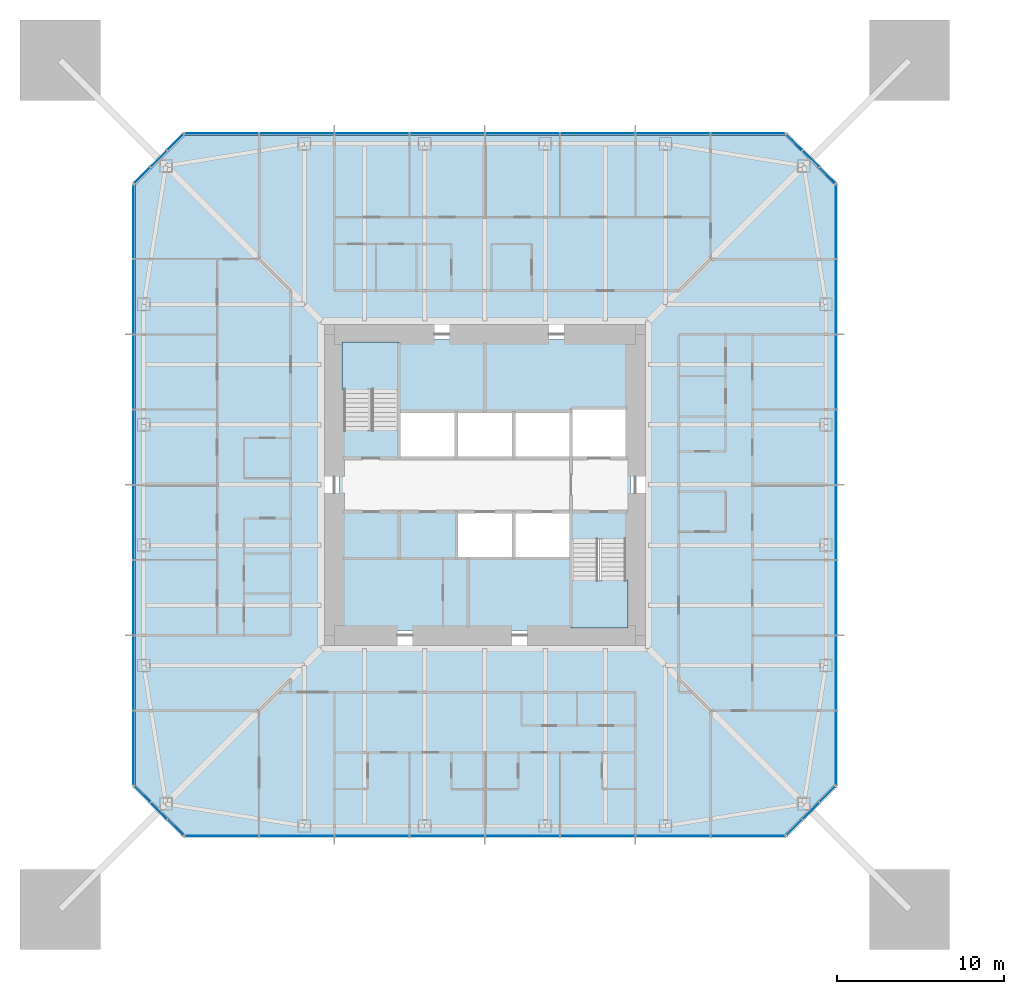
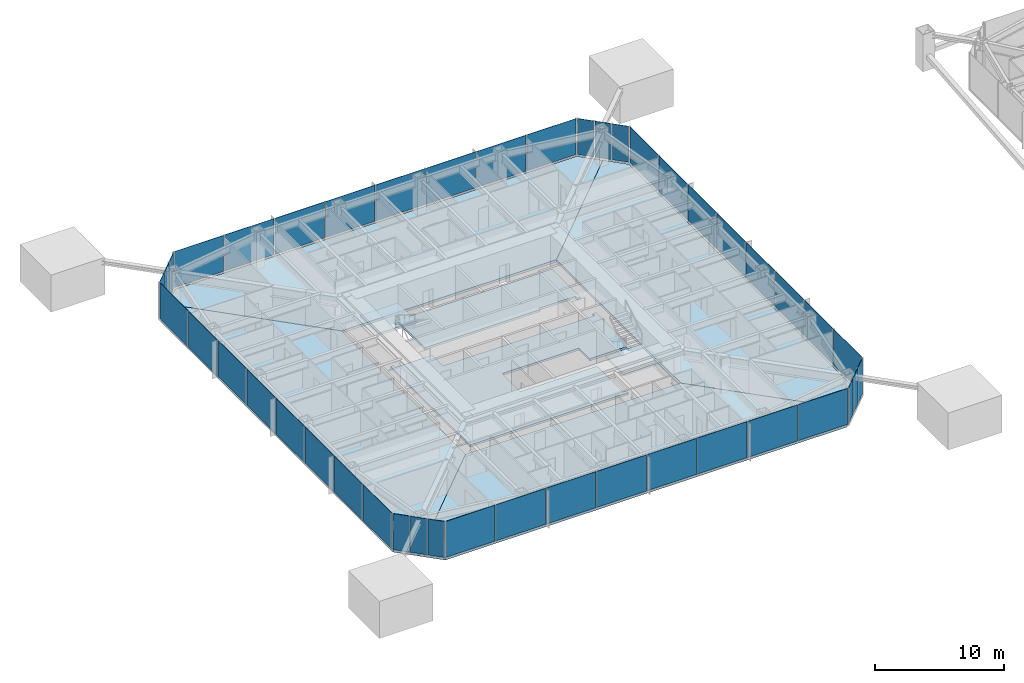
# One storey, part 11 of 25: 44 plates, 8 slabs, 10 elements without a shape of their own.
"""IFC4 building model written with IfcOpenShell, lengths in metres."""

import ifcopenshell
import ifcopenshell.guid

model = None  # the IFC model being written
_history = None  # IfcOwnerHistory: only IFC2X3 demands one
_inside = {}  # id of a spatial element -> (the spatial element, [elements in it])
_under = {}  # id of a project, library or spatial element -> (it, [spatial elements below it])
_declared = {}  # id of a project -> (the project, [libraries it declares])
_typed = {}  # id of a type object -> (the type object, [elements of that type])
_made_of = {}  # id of a material, layer set ... -> (it, [elements and type objects made of it])


def new_model(schema):
    """Start an empty IFC model of exactly this schema.

    Asked for "IFC4X3", IfcOpenShell would pick the latest addendum, in which some entities
    have other attributes; the version numbers below select the first issue.
    IFC2X3 requires an IfcOwnerHistory on every rooted entity: one is made here for all.
    """
    global model, _history
    if schema == "IFC4X3":
        model = ifcopenshell.file(schema_version=(4, 3, 0, 0))
    else:
        model = ifcopenshell.file(schema=schema)
    _inside.clear()
    _under.clear()
    _declared.clear()
    _typed.clear()
    _made_of.clear()
    _history = None
    if model.schema == "IFC2X3":
        org = make("IfcOrganization", Name="unknown")
        user = make(
            "IfcPersonAndOrganization",
            ThePerson=make("IfcPerson", FamilyName="unknown"),
            TheOrganization=org,
        )
        app = make(
            "IfcApplication",
            ApplicationDeveloper=org,
            Version="unknown",
            ApplicationFullName="unknown",
            ApplicationIdentifier="unknown",
        )
        _history = make(
            "IfcOwnerHistory",
            OwningUser=user,
            OwningApplication=app,
            ChangeAction="ADDED",
            CreationDate=0,
        )
    return model


def make(cls, **values):
    """One entity of the class cls with the attributes given. An attribute that is None is left unset."""
    return model.create_entity(
        cls, **{name: value for name, value in values.items() if value is not None}
    )


def rooted(cls, **values):
    """An entity with a GlobalId (a new one), such as an element, a storey or a relation."""
    return make(cls, GlobalId=ifcopenshell.guid.new(), OwnerHistory=_history, **values)


def si_unit(unit_type, name, prefix=None):
    """IfcSIUnit, for example si_unit("LENGTHUNIT", "METRE", prefix="MILLI")."""
    return make("IfcSIUnit", UnitType=unit_type, Prefix=prefix, Name=name)


def assignment(units):
    """IfcUnitAssignment: the units of a project."""
    return None if units is None else make("IfcUnitAssignment", Units=units)


def point(xyz):
    """IfcCartesianPoint."""
    return None if xyz is None else make("IfcCartesianPoint", Coordinates=xyz)


def direction(xyz):
    """IfcDirection."""
    return None if xyz is None else make("IfcDirection", DirectionRatios=xyz)


def frame(location, z_axis=None, x_axis=None):
    """IfcAxis2Placement3D, a coordinate frame: its origin and axes. An axis left out is left unset."""
    return make(
        "IfcAxis2Placement3D",
        Location=point(location),
        Axis=direction(z_axis),
        RefDirection=direction(x_axis),
    )


def frame_2d(location, x_axis=None):
    """IfcAxis2Placement2D, a coordinate frame in the plane: its origin and x axis."""
    return make(
        "IfcAxis2Placement2D", Location=point(location), RefDirection=direction(x_axis)
    )


def origin():
    """The frame at (0, 0, 0) with its axes left unset."""
    return frame((0.0, 0.0, 0.0))


def origin_2d():
    """The frame at (0, 0) in the plane with its x axis left unset."""
    return frame_2d((0.0, 0.0))


def place(relative_to, where):
    """IfcLocalPlacement: puts the frame where relative to a parent placement (None: the world)."""
    return make(
        "IfcLocalPlacement", PlacementRelTo=relative_to, RelativePlacement=where
    )


def context(
    kind, dimensions, precision=None, world=None, true_north=None, identifier=None
):
    """IfcGeometricRepresentationContext, for example the 3D "Model" context."""
    return make(
        "IfcGeometricRepresentationContext",
        ContextIdentifier=identifier,
        ContextType=kind,
        CoordinateSpaceDimension=dimensions,
        Precision=precision,
        WorldCoordinateSystem=world,
        TrueNorth=true_north,
    )


def subcontext(parent, identifier, kind, view, scale=None):
    """IfcGeometricRepresentationSubContext, for example "Body" below "Model"."""
    return make(
        "IfcGeometricRepresentationSubContext",
        ContextIdentifier=identifier,
        ContextType=kind,
        ParentContext=parent,
        TargetScale=scale,
        TargetView=view,
    )


def project(units=None, contexts=None):
    """IfcProject with its units and contexts."""
    return rooted(
        "IfcProject",
        Name="project",
        RepresentationContexts=contexts,
        UnitsInContext=assignment(units),
    )


def spatial(cls, under=None, at=None, **own):
    """A site, building, storey or space (cls), placed at a placement, below another one or the project."""
    s = rooted(cls, ObjectPlacement=at, **own)
    if under is not None:
        _under.setdefault(under.id(), (under, []))[1].append(s)
    return s


def polyline(points):
    """IfcPolyline through the points."""
    return make("IfcPolyline", Points=[point(p) for p in points])


def profile(cls, at=None, kind="AREA", **sizes):
    """A parametric profile (cls). Its sizes go by their IFC names, for example OverallWidth=200.0."""
    return make(cls, ProfileType=kind, Position=at, **sizes)


def rectangle(**sizes):
    """IfcRectangleProfileDef."""
    return profile("IfcRectangleProfileDef", **sizes)


def outline(outer, holes=None, kind="AREA"):
    """IfcArbitraryClosedProfileDef: a profile drawn as a closed curve; with holes, ...WithVoids."""
    if holes is None:
        return make("IfcArbitraryClosedProfileDef", ProfileType=kind, OuterCurve=outer)
    return make(
        "IfcArbitraryProfileDefWithVoids",
        ProfileType=kind,
        OuterCurve=outer,
        InnerCurves=holes,
    )


def extrude(swept, where, along, depth):
    """IfcExtrudedAreaSolid: the profile swept, set in the frame where, extruded along a direction by depth."""
    return make(
        "IfcExtrudedAreaSolid",
        SweptArea=swept,
        Position=where,
        ExtrudedDirection=direction(along),
        Depth=depth,
    )


def shape(context_of_items, identifier, shape_type, items):
    """IfcShapeRepresentation: the items that make up one representation, for example the "Body"."""
    return make(
        "IfcShapeRepresentation",
        ContextOfItems=context_of_items,
        RepresentationIdentifier=identifier,
        RepresentationType=shape_type,
        Items=items,
    )


def material(Name=None, Category=None):
    """IfcMaterial."""
    return make("IfcMaterial", Name=Name, Category=Category)


def layer(
    of_material, thickness, ventilated=None, Name=None, Category=None, Priority=None
):
    """IfcMaterialLayer: one layer of a wall or slab, of a material (None: an air gap)."""
    return make(
        "IfcMaterialLayer",
        Material=of_material,
        LayerThickness=thickness,
        IsVentilated=ventilated,
        Name=Name,
        Category=Category,
        Priority=Priority,
    )


def layer_set(layers, Name=None):
    """IfcMaterialLayerSet."""
    return make("IfcMaterialLayerSet", MaterialLayers=layers, LayerSetName=Name)


def constituent(of_material, Name=None, Category=None, fraction=None):
    """IfcMaterialConstituent: one of the materials an element consists of."""
    return make(
        "IfcMaterialConstituent",
        Name=Name,
        Material=of_material,
        Fraction=fraction,
        Category=Category,
    )


def constituent_set(constituents=None, Name=None):
    """IfcMaterialConstituentSet."""
    return make(
        "IfcMaterialConstituentSet", Name=Name, MaterialConstituents=constituents
    )


def made_of(thing, what):
    """Note that an element or type object is made of a material, layer set ...; save() writes the relation."""
    if what is not None:
        _made_of.setdefault(what.id(), (what, []))[1].append(thing)
    return thing


def type_object(cls, material=None, **own):
    """A type object (cls), such as IfcWallType, which elements share."""
    return made_of(rooted(cls, **own), material)


def element(
    cls,
    number,
    at=None,
    inside=None,
    cuts=None,
    type_object=None,
    material=None,
    context=None,
    identifier="Body",
    shape_type=None,
    held_by="IfcProductDefinitionShape",
    body=None,
    shapes=None,
    **own,
):
    """One element of the class cls, such as IfcWall. Its Tag is "e" and its number.

    at: its placement. inside: the storey or other place that contains it. cuts: it is an
    opening in that element (IfcRelVoidsElement). A single representation is given by context,
    identifier, shape_type and body (its items); several are given by shapes. held_by: the class
    of the entity that holds the representations. save() writes the other relations.
    """
    e = rooted(cls, Tag="e%d" % number, ObjectPlacement=at, **own)
    if body is not None:
        shapes = [shape(context, identifier, shape_type, body)]
    if shapes is not None:
        e.Representation = make(held_by, Representations=shapes)
    if inside is not None:
        _inside.setdefault(inside.id(), (inside, []))[1].append(e)
    if cuts is not None:
        rooted(
            "IfcRelVoidsElement", RelatingBuildingElement=cuts, RelatedOpeningElement=e
        )
    if type_object is not None:
        _typed.setdefault(type_object.id(), (type_object, []))[1].append(e)
    return made_of(e, material)


def aggregate(whole, parts):
    """IfcRelAggregates: a whole, such as a stair, and the parts it consists of."""
    return rooted("IfcRelAggregates", RelatingObject=whole, RelatedObjects=parts)


def save(model, path):
    """Write the relations noted so far, then the file.

    IfcRelAggregates (storeys below a building ...), IfcRelContainedInSpatialStructure (elements
    in a storey), IfcRelDefinesByType, IfcRelAssociatesMaterial and IfcRelDeclares: one each for
    every whole, place, type object, material and project.
    """
    for whole, parts in _under.values():
        aggregate(whole, parts)
    for where, things in _inside.values():
        rooted(
            "IfcRelContainedInSpatialStructure",
            RelatedElements=things,
            RelatingStructure=where,
        )
    for kind, things in _typed.values():
        rooted("IfcRelDefinesByType", RelatedObjects=things, RelatingType=kind)
    for what, things in _made_of.values():
        rooted("IfcRelAssociatesMaterial", RelatedObjects=things, RelatingMaterial=what)
    for by, libraries in _declared.values():
        rooted("IfcRelDeclares", RelatingContext=by, RelatedDefinitions=libraries)
    model.write(path)


model = new_model("IFC4")

# Units and contexts
model_context = context("Model", 3, precision=1e-05, world=origin(), true_north=direction((0.0, 1.0)))
body_context = subcontext(model_context, "Body", "Model", "MODEL_VIEW")
ifc_project = project(units=[si_unit("LENGTHUNIT", "METRE"), si_unit("AREAUNIT", "SQUARE_METRE"), si_unit("VOLUMEUNIT", "CUBIC_METRE"), si_unit("PLANEANGLEUNIT", "RADIAN"), si_unit("MASSUNIT", "GRAM", prefix="KILO")], contexts=[model_context])

# Site, building, storey
site_placement = place(None, origin())
site = spatial("IfcSite", under=ifc_project, at=site_placement, CompositionType="ELEMENT")
building_placement = place(site_placement, origin())
building = spatial("IfcBuilding", under=site, at=building_placement, Name="Iwan Alto Co-Living Towers", CompositionType="ELEMENT")
storey_placement = place(building_placement, frame((0.0, 0.0, 87.5)))
storey = spatial("IfcBuildingStorey", under=building, at=storey_placement, Name="L23", CompositionType="ELEMENT", Elevation=87.5)

# Slabs
ifc_material_1 = material(Name="Concrete f'c 30 MPa", Category="concrete")
ifc_layer_1 = layer(ifc_material_1, 0.199951171875)
ifc_layer_set_1 = layer_set([ifc_layer_1], Name="CORE FLOOR SLAB 200")
slab_type_1 = type_object("IfcSlabType", Name="CORE FLOOR SLAB 200", PredefinedType="FLOOR", material=ifc_layer_set_1)
slab_1_placement = place(storey_placement, frame((0.0, 0.0, -0.199951171875)))
element("IfcSlab", 1, at=slab_1_placement, inside=storey, type_object=slab_type_1, Name="T1 core floor L23", PredefinedType="FLOOR", context=body_context, shape_type="SweptSolid", body=[
    extrude(outline(polyline([(5.14990234375, -1.60009765625), (1.72509765625, -1.60009765625), (-1.699951171875, -1.60009765625), (-1.699951171875, -4.39990234375), (1.72509765625, -4.39990234375), (5.14990234375, -4.39990234375), (5.14990234375, -8.39990234375), (5.4599609375, -8.39990234375), (5.4599609375, -8.699951171875), (-8.699951171875, -8.699951171875), (-8.699951171875, 3.580078125), (-8.39990234375, 3.580078125), (-8.39990234375, 3.27001953125), (-5.14990234375, 3.27001953125), (-5.14990234375, 1.60009765625), (-1.717041015625, 1.60009765625), (1.717041015625, 1.60009765625), (5.14990234375, 1.60009765625), (8.39990234375, 1.60009765625), (8.39990234375, 1.909912109375), (8.699951171875, 1.909912109375), (8.699951171875, -3.580078125), (8.39990234375, -3.580078125), (8.39990234375, -3.27001953125), (5.14990234375, -3.27001953125), (5.14990234375, -1.60009765625)])), origin(), (0.0, 0.0, 1.0), 0.199951171875),
])
slab_2_placement = place(storey_placement, frame((0.0, 0.0, -0.199951171875)))
element("IfcSlab", 2, at=slab_2_placement, inside=storey, type_object=slab_type_1, Name="T1 core floor L23", PredefinedType="FLOOR", context=body_context, shape_type="SweptSolid", body=[
    extrude(outline(polyline([(1.717041015625, 4.39990234375), (-1.717041015625, 4.39990234375), (-5.14990234375, 4.39990234375), (-5.14990234375, 8.39990234375), (-5.4599609375, 8.39990234375), (-5.4599609375, 8.699951171875), (8.699951171875, 8.699951171875), (8.699951171875, 4.2900390625), (8.39990234375, 4.2900390625), (8.39990234375, 4.60009765625), (5.14990234375, 4.60009765625), (5.14990234375, 4.39990234375), (1.717041015625, 4.39990234375)])), origin(), (0.0, 0.0, 1.0), 0.199951171875),
])

# Curtain wall, plates
ifc_material_2 = material(Name="Bronze aluminium unitised frame", Category="aluminium")
curtain_wall_type_1 = type_object("IfcCurtainWallType", Name="CURTAIN WALL CW-A", PredefinedType="NOTDEFINED", material=ifc_material_2)
curtain_wall_1_placement = place(storey_placement, origin())
curtain_wall_1 = element("IfcCurtainWall", 3, at=curtain_wall_1_placement, inside=storey, type_object=curtain_wall_type_1, Name="T1 curtain wall S L23", PredefinedType="NOTDEFINED")
ifc_material_3 = material(Name="Bronze-tinted insulating glass", Category="glass")
ifc_layer_2 = layer(ifc_material_3, 0.031982421875)
ifc_layer_set_2 = layer_set([ifc_layer_2], Name="CW-A PANEL TINTED IGU 32")
plate_type_1 = type_object("IfcPlateType", Name="CW-A PANEL TINTED IGU 32", PredefinedType="CURTAIN_PANEL", material=ifc_layer_set_2)
plate_1_placement = place(storey_placement, frame((-15.72998046875, -21.0, 0.10009765625), z_axis=(0.0, 0.0, 1.0), x_axis=(1.0, 0.0, 0.0)))
plate_1 = element("IfcPlate", 4, at=plate_1_placement, type_object=plate_type_1, Name="CW-A panel 1.1", PredefinedType="CURTAIN_PANEL", context=body_context, shape_type="SweptSolid", body=[
    extrude(rectangle(XDim=4.3798828125, YDim=0.031982421875, at=origin_2d()), origin(), (0.0, 0.0, 1.0), 3.39990234375),
])
plate_2_placement = place(storey_placement, frame((-11.25, -21.0, 0.10009765625), z_axis=(0.0, 0.0, 1.0), x_axis=(1.0, 0.0, 0.0)))
plate_2 = element("IfcPlate", 5, at=plate_2_placement, type_object=plate_type_1, Name="CW-A panel 2.1", PredefinedType="CURTAIN_PANEL", context=body_context, shape_type="SweptSolid", body=[
    extrude(rectangle(XDim=4.419921875, YDim=0.031982421875, at=origin_2d()), origin(), (0.0, 0.0, 1.0), 3.39990234375),
])
plate_3_placement = place(storey_placement, frame((-6.75, -21.0, 0.10009765625), z_axis=(0.0, 0.0, 1.0), x_axis=(1.0, 0.0, 0.0)))
plate_3 = element("IfcPlate", 6, at=plate_3_placement, type_object=plate_type_1, Name="CW-A panel 3.1", PredefinedType="CURTAIN_PANEL", context=body_context, shape_type="SweptSolid", body=[
    extrude(rectangle(XDim=4.419921875, YDim=0.031982421875, at=origin_2d()), origin(), (0.0, 0.0, 1.0), 3.39990234375),
])
plate_4_placement = place(storey_placement, frame((-2.25, -21.0, 0.10009765625), z_axis=(0.0, 0.0, 1.0), x_axis=(1.0, 0.0, 0.0)))
plate_4 = element("IfcPlate", 7, at=plate_4_placement, type_object=plate_type_1, Name="CW-A panel 4.1", PredefinedType="CURTAIN_PANEL", context=body_context, shape_type="SweptSolid", body=[
    extrude(rectangle(XDim=4.419921875, YDim=0.031982421875, at=origin_2d()), origin(), (0.0, 0.0, 1.0), 3.39990234375),
])
plate_5_placement = place(storey_placement, frame((2.25, -21.0, 0.10009765625), z_axis=(0.0, 0.0, 1.0), x_axis=(1.0, 0.0, 0.0)))
plate_5 = element("IfcPlate", 8, at=plate_5_placement, type_object=plate_type_1, Name="CW-A panel 5.1", PredefinedType="CURTAIN_PANEL", context=body_context, shape_type="SweptSolid", body=[
    extrude(rectangle(XDim=4.419921875, YDim=0.031982421875, at=origin_2d()), origin(), (0.0, 0.0, 1.0), 3.39990234375),
])
plate_6_placement = place(storey_placement, frame((6.75, -21.0, 0.10009765625), z_axis=(0.0, 0.0, 1.0), x_axis=(1.0, 0.0, 0.0)))
plate_6 = element("IfcPlate", 9, at=plate_6_placement, type_object=plate_type_1, Name="CW-A panel 6.1", PredefinedType="CURTAIN_PANEL", context=body_context, shape_type="SweptSolid", body=[
    extrude(rectangle(XDim=4.419921875, YDim=0.031982421875, at=origin_2d()), origin(), (0.0, 0.0, 1.0), 3.39990234375),
])
plate_7_placement = place(storey_placement, frame((11.25, -21.0, 0.10009765625), z_axis=(0.0, 0.0, 1.0), x_axis=(1.0, 0.0, 0.0)))
plate_7 = element("IfcPlate", 10, at=plate_7_placement, type_object=plate_type_1, Name="CW-A panel 7.1", PredefinedType="CURTAIN_PANEL", context=body_context, shape_type="SweptSolid", body=[
    extrude(rectangle(XDim=4.419921875, YDim=0.031982421875, at=origin_2d()), origin(), (0.0, 0.0, 1.0), 3.39990234375),
])
plate_8_placement = place(storey_placement, frame((15.72998046875, -21.0, 0.10009765625), z_axis=(0.0, 0.0, 1.0), x_axis=(1.0, 0.0, 0.0)))
plate_8 = element("IfcPlate", 11, at=plate_8_placement, type_object=plate_type_1, Name="CW-A panel 8.1", PredefinedType="CURTAIN_PANEL", context=body_context, shape_type="SweptSolid", body=[
    extrude(rectangle(XDim=4.3798828125, YDim=0.031982421875, at=origin_2d()), origin(), (0.0, 0.0, 1.0), 3.39990234375),
])
aggregate(curtain_wall_1, [plate_1, plate_2, plate_3, plate_4, plate_5, plate_6, plate_7, plate_8])

curtain_wall_2_placement = place(storey_placement, origin())
curtain_wall_2 = element("IfcCurtainWall", 12, at=curtain_wall_2_placement, inside=storey, type_object=curtain_wall_type_1, Name="T1 curtain wall E L23", PredefinedType="NOTDEFINED")
plate_9_placement = place(storey_placement, frame((21.0, -15.72998046875, 0.10009765625), z_axis=(0.0, 0.0, 1.0), x_axis=(0.0, 1.0, 0.0)))
plate_9 = element("IfcPlate", 13, at=plate_9_placement, type_object=plate_type_1, Name="CW-A panel 1.1", PredefinedType="CURTAIN_PANEL", context=body_context, shape_type="SweptSolid", body=[
    extrude(rectangle(XDim=4.3798828125, YDim=0.031982421875, at=origin_2d()), origin(), (0.0, 0.0, 1.0), 3.39990234375),
])
plate_10_placement = place(storey_placement, frame((21.0, -11.25, 0.10009765625), z_axis=(0.0, 0.0, 1.0), x_axis=(0.0, 1.0, 0.0)))
plate_10 = element("IfcPlate", 14, at=plate_10_placement, type_object=plate_type_1, Name="CW-A panel 2.1", PredefinedType="CURTAIN_PANEL", context=body_context, shape_type="SweptSolid", body=[
    extrude(rectangle(XDim=4.419921875, YDim=0.031982421875, at=origin_2d()), origin(), (0.0, 0.0, 1.0), 3.39990234375),
])
plate_11_placement = place(storey_placement, frame((21.0, -6.75, 0.10009765625), z_axis=(0.0, 0.0, 1.0), x_axis=(0.0, 1.0, 0.0)))
plate_11 = element("IfcPlate", 15, at=plate_11_placement, type_object=plate_type_1, Name="CW-A panel 3.1", PredefinedType="CURTAIN_PANEL", context=body_context, shape_type="SweptSolid", body=[
    extrude(rectangle(XDim=4.419921875, YDim=0.031982421875, at=origin_2d()), origin(), (0.0, 0.0, 1.0), 3.39990234375),
])
plate_12_placement = place(storey_placement, frame((21.0, -2.25, 0.10009765625), z_axis=(0.0, 0.0, 1.0), x_axis=(0.0, 1.0, 0.0)))
plate_12 = element("IfcPlate", 16, at=plate_12_placement, type_object=plate_type_1, Name="CW-A panel 4.1", PredefinedType="CURTAIN_PANEL", context=body_context, shape_type="SweptSolid", body=[
    extrude(rectangle(XDim=4.419921875, YDim=0.031982421875, at=origin_2d()), origin(), (0.0, 0.0, 1.0), 3.39990234375),
])
plate_13_placement = place(storey_placement, frame((21.0, 2.25, 0.10009765625), z_axis=(0.0, 0.0, 1.0), x_axis=(0.0, 1.0, 0.0)))
plate_13 = element("IfcPlate", 17, at=plate_13_placement, type_object=plate_type_1, Name="CW-A panel 5.1", PredefinedType="CURTAIN_PANEL", context=body_context, shape_type="SweptSolid", body=[
    extrude(rectangle(XDim=4.419921875, YDim=0.031982421875, at=origin_2d()), origin(), (0.0, 0.0, 1.0), 3.39990234375),
])
plate_14_placement = place(storey_placement, frame((21.0, 6.75, 0.10009765625), z_axis=(0.0, 0.0, 1.0), x_axis=(0.0, 1.0, 0.0)))
plate_14 = element("IfcPlate", 18, at=plate_14_placement, type_object=plate_type_1, Name="CW-A panel 6.1", PredefinedType="CURTAIN_PANEL", context=body_context, shape_type="SweptSolid", body=[
    extrude(rectangle(XDim=4.419921875, YDim=0.031982421875, at=origin_2d()), origin(), (0.0, 0.0, 1.0), 3.39990234375),
])
plate_15_placement = place(storey_placement, frame((21.0, 11.25, 0.10009765625), z_axis=(0.0, 0.0, 1.0), x_axis=(0.0, 1.0, 0.0)))
plate_15 = element("IfcPlate", 19, at=plate_15_placement, type_object=plate_type_1, Name="CW-A panel 7.1", PredefinedType="CURTAIN_PANEL", context=body_context, shape_type="SweptSolid", body=[
    extrude(rectangle(XDim=4.419921875, YDim=0.031982421875, at=origin_2d()), origin(), (0.0, 0.0, 1.0), 3.39990234375),
])
plate_16_placement = place(storey_placement, frame((21.0, 15.72998046875, 0.10009765625), z_axis=(0.0, 0.0, 1.0), x_axis=(0.0, 1.0, 0.0)))
plate_16 = element("IfcPlate", 20, at=plate_16_placement, type_object=plate_type_1, Name="CW-A panel 8.1", PredefinedType="CURTAIN_PANEL", context=body_context, shape_type="SweptSolid", body=[
    extrude(rectangle(XDim=4.3798828125, YDim=0.031982421875, at=origin_2d()), origin(), (0.0, 0.0, 1.0), 3.39990234375),
])
aggregate(curtain_wall_2, [plate_9, plate_10, plate_11, plate_12, plate_13, plate_14, plate_15, plate_16])

curtain_wall_3_placement = place(storey_placement, origin())
curtain_wall_3 = element("IfcCurtainWall", 21, at=curtain_wall_3_placement, inside=storey, type_object=curtain_wall_type_1, Name="T1 curtain wall N L23", PredefinedType="NOTDEFINED")
plate_17_placement = place(storey_placement, frame((15.72998046875, 21.0, 0.10009765625), z_axis=(0.0, 0.0, 1.0), x_axis=(-1.0, 0.0, 0.0)))
plate_17 = element("IfcPlate", 22, at=plate_17_placement, type_object=plate_type_1, Name="CW-A panel 1.1", PredefinedType="CURTAIN_PANEL", context=body_context, shape_type="SweptSolid", body=[
    extrude(rectangle(XDim=4.3798828125, YDim=0.031982421875, at=origin_2d()), origin(), (0.0, 0.0, 1.0), 3.39990234375),
])
plate_18_placement = place(storey_placement, frame((11.25, 21.0, 0.10009765625), z_axis=(0.0, 0.0, 1.0), x_axis=(-1.0, 0.0, 0.0)))
plate_18 = element("IfcPlate", 23, at=plate_18_placement, type_object=plate_type_1, Name="CW-A panel 2.1", PredefinedType="CURTAIN_PANEL", context=body_context, shape_type="SweptSolid", body=[
    extrude(rectangle(XDim=4.419921875, YDim=0.031982421875, at=origin_2d()), origin(), (0.0, 0.0, 1.0), 3.39990234375),
])
plate_19_placement = place(storey_placement, frame((6.75, 21.0, 0.10009765625), z_axis=(0.0, 0.0, 1.0), x_axis=(-1.0, 0.0, 0.0)))
plate_19 = element("IfcPlate", 24, at=plate_19_placement, type_object=plate_type_1, Name="CW-A panel 3.1", PredefinedType="CURTAIN_PANEL", context=body_context, shape_type="SweptSolid", body=[
    extrude(rectangle(XDim=4.419921875, YDim=0.031982421875, at=origin_2d()), origin(), (0.0, 0.0, 1.0), 3.39990234375),
])
plate_20_placement = place(storey_placement, frame((2.25, 21.0, 0.10009765625), z_axis=(0.0, 0.0, 1.0), x_axis=(-1.0, 0.0, 0.0)))
plate_20 = element("IfcPlate", 25, at=plate_20_placement, type_object=plate_type_1, Name="CW-A panel 4.1", PredefinedType="CURTAIN_PANEL", context=body_context, shape_type="SweptSolid", body=[
    extrude(rectangle(XDim=4.419921875, YDim=0.031982421875, at=origin_2d()), origin(), (0.0, 0.0, 1.0), 3.39990234375),
])
plate_21_placement = place(storey_placement, frame((-2.25, 21.0, 0.10009765625), z_axis=(0.0, 0.0, 1.0), x_axis=(-1.0, 0.0, 0.0)))
plate_21 = element("IfcPlate", 26, at=plate_21_placement, type_object=plate_type_1, Name="CW-A panel 5.1", PredefinedType="CURTAIN_PANEL", context=body_context, shape_type="SweptSolid", body=[
    extrude(rectangle(XDim=4.419921875, YDim=0.031982421875, at=origin_2d()), origin(), (0.0, 0.0, 1.0), 3.39990234375),
])
plate_22_placement = place(storey_placement, frame((-6.75, 21.0, 0.10009765625), z_axis=(0.0, 0.0, 1.0), x_axis=(-1.0, 0.0, 0.0)))
plate_22 = element("IfcPlate", 27, at=plate_22_placement, type_object=plate_type_1, Name="CW-A panel 6.1", PredefinedType="CURTAIN_PANEL", context=body_context, shape_type="SweptSolid", body=[
    extrude(rectangle(XDim=4.419921875, YDim=0.031982421875, at=origin_2d()), origin(), (0.0, 0.0, 1.0), 3.39990234375),
])
plate_23_placement = place(storey_placement, frame((-11.25, 21.0, 0.10009765625), z_axis=(0.0, 0.0, 1.0), x_axis=(-1.0, 0.0, 0.0)))
plate_23 = element("IfcPlate", 28, at=plate_23_placement, type_object=plate_type_1, Name="CW-A panel 7.1", PredefinedType="CURTAIN_PANEL", context=body_context, shape_type="SweptSolid", body=[
    extrude(rectangle(XDim=4.419921875, YDim=0.031982421875, at=origin_2d()), origin(), (0.0, 0.0, 1.0), 3.39990234375),
])
plate_24_placement = place(storey_placement, frame((-15.72998046875, 21.0, 0.10009765625), z_axis=(0.0, 0.0, 1.0), x_axis=(-1.0, 0.0, 0.0)))
plate_24 = element("IfcPlate", 29, at=plate_24_placement, type_object=plate_type_1, Name="CW-A panel 8.1", PredefinedType="CURTAIN_PANEL", context=body_context, shape_type="SweptSolid", body=[
    extrude(rectangle(XDim=4.3798828125, YDim=0.031982421875, at=origin_2d()), origin(), (0.0, 0.0, 1.0), 3.39990234375),
])
aggregate(curtain_wall_3, [plate_17, plate_18, plate_19, plate_20, plate_21, plate_22, plate_23, plate_24])

curtain_wall_4_placement = place(storey_placement, origin())
curtain_wall_4 = element("IfcCurtainWall", 30, at=curtain_wall_4_placement, inside=storey, type_object=curtain_wall_type_1, Name="T1 curtain wall W L23", PredefinedType="NOTDEFINED")
plate_25_placement = place(storey_placement, frame((-21.0, 15.72998046875, 0.10009765625), z_axis=(0.0, 0.0, 1.0), x_axis=(0.0, -1.0, 0.0)))
plate_25 = element("IfcPlate", 31, at=plate_25_placement, type_object=plate_type_1, Name="CW-A panel 1.1", PredefinedType="CURTAIN_PANEL", context=body_context, shape_type="SweptSolid", body=[
    extrude(rectangle(XDim=4.3798828125, YDim=0.031982421875, at=origin_2d()), origin(), (0.0, 0.0, 1.0), 3.39990234375),
])
plate_26_placement = place(storey_placement, frame((-21.0, 11.25, 0.10009765625), z_axis=(0.0, 0.0, 1.0), x_axis=(0.0, -1.0, 0.0)))
plate_26 = element("IfcPlate", 32, at=plate_26_placement, type_object=plate_type_1, Name="CW-A panel 2.1", PredefinedType="CURTAIN_PANEL", context=body_context, shape_type="SweptSolid", body=[
    extrude(rectangle(XDim=4.419921875, YDim=0.031982421875, at=origin_2d()), origin(), (0.0, 0.0, 1.0), 3.39990234375),
])
plate_27_placement = place(storey_placement, frame((-21.0, 6.75, 0.10009765625), z_axis=(0.0, 0.0, 1.0), x_axis=(0.0, -1.0, 0.0)))
plate_27 = element("IfcPlate", 33, at=plate_27_placement, type_object=plate_type_1, Name="CW-A panel 3.1", PredefinedType="CURTAIN_PANEL", context=body_context, shape_type="SweptSolid", body=[
    extrude(rectangle(XDim=4.419921875, YDim=0.031982421875, at=origin_2d()), origin(), (0.0, 0.0, 1.0), 3.39990234375),
])
plate_28_placement = place(storey_placement, frame((-21.0, 2.25, 0.10009765625), z_axis=(0.0, 0.0, 1.0), x_axis=(0.0, -1.0, 0.0)))
plate_28 = element("IfcPlate", 34, at=plate_28_placement, type_object=plate_type_1, Name="CW-A panel 4.1", PredefinedType="CURTAIN_PANEL", context=body_context, shape_type="SweptSolid", body=[
    extrude(rectangle(XDim=4.419921875, YDim=0.031982421875, at=origin_2d()), origin(), (0.0, 0.0, 1.0), 3.39990234375),
])
plate_29_placement = place(storey_placement, frame((-21.0, -2.25, 0.10009765625), z_axis=(0.0, 0.0, 1.0), x_axis=(0.0, -1.0, 0.0)))
plate_29 = element("IfcPlate", 35, at=plate_29_placement, type_object=plate_type_1, Name="CW-A panel 5.1", PredefinedType="CURTAIN_PANEL", context=body_context, shape_type="SweptSolid", body=[
    extrude(rectangle(XDim=4.419921875, YDim=0.031982421875, at=origin_2d()), origin(), (0.0, 0.0, 1.0), 3.39990234375),
])
plate_30_placement = place(storey_placement, frame((-21.0, -6.75, 0.10009765625), z_axis=(0.0, 0.0, 1.0), x_axis=(0.0, -1.0, 0.0)))
plate_30 = element("IfcPlate", 36, at=plate_30_placement, type_object=plate_type_1, Name="CW-A panel 6.1", PredefinedType="CURTAIN_PANEL", context=body_context, shape_type="SweptSolid", body=[
    extrude(rectangle(XDim=4.419921875, YDim=0.031982421875, at=origin_2d()), origin(), (0.0, 0.0, 1.0), 3.39990234375),
])
plate_31_placement = place(storey_placement, frame((-21.0, -11.25, 0.10009765625), z_axis=(0.0, 0.0, 1.0), x_axis=(0.0, -1.0, 0.0)))
plate_31 = element("IfcPlate", 37, at=plate_31_placement, type_object=plate_type_1, Name="CW-A panel 7.1", PredefinedType="CURTAIN_PANEL", context=body_context, shape_type="SweptSolid", body=[
    extrude(rectangle(XDim=4.419921875, YDim=0.031982421875, at=origin_2d()), origin(), (0.0, 0.0, 1.0), 3.39990234375),
])
plate_32_placement = place(storey_placement, frame((-21.0, -15.72998046875, 0.10009765625), z_axis=(0.0, 0.0, 1.0), x_axis=(0.0, -1.0, 0.0)))
plate_32 = element("IfcPlate", 38, at=plate_32_placement, type_object=plate_type_1, Name="CW-A panel 8.1", PredefinedType="CURTAIN_PANEL", context=body_context, shape_type="SweptSolid", body=[
    extrude(rectangle(XDim=4.3798828125, YDim=0.031982421875, at=origin_2d()), origin(), (0.0, 0.0, 1.0), 3.39990234375),
])
aggregate(curtain_wall_4, [plate_25, plate_26, plate_27, plate_28, plate_29, plate_30, plate_31, plate_32])

ifc_material_4 = material(Name="Bronze aluminium unitised frame", Category="aluminium")
curtain_wall_type_2 = type_object("IfcCurtainWallType", Name="CURTAIN WALL CW-B", PredefinedType="NOTDEFINED", material=ifc_material_4)
curtain_wall_5_placement = place(storey_placement, origin())
curtain_wall_5 = element("IfcCurtainWall", 39, at=curtain_wall_5_placement, inside=storey, type_object=curtain_wall_type_2, Name="T1 chamfer curtain wall SE L23", PredefinedType="NOTDEFINED")
ifc_material_5 = material(Name="Bronze-tinted insulating glass", Category="glass")
ifc_layer_3 = layer(ifc_material_5, 0.031982421875)
ifc_layer_set_3 = layer_set([ifc_layer_3], Name="CW-B PANEL TINTED IGU 32")
plate_type_2 = type_object("IfcPlateType", Name="CW-B PANEL TINTED IGU 32", PredefinedType="CURTAIN_PANEL", material=ifc_layer_set_3)
plate_33_placement = place(storey_placement, frame((18.51416015625, -20.48583984375, 0.10009765625), z_axis=(0.0, 0.0, 1.0), x_axis=(0.707106781187, 0.707106781187, 0.0)))
plate_33 = element("IfcPlate", 40, at=plate_33_placement, type_object=plate_type_2, Name="CW-B panel 1.1", PredefinedType="CURTAIN_PANEL", context=body_context, shape_type="SweptSolid", body=[
    extrude(rectangle(XDim=1.294189453125, YDim=0.031982421875, at=origin_2d()), origin(), (0.0, 0.0, 1.0), 3.39990234375),
])
plate_34_placement = place(storey_placement, frame((19.5, -19.5, 0.10009765625), z_axis=(0.0, 0.0, 1.0), x_axis=(0.707106781187, 0.707106781187, 0.0)))
plate_34 = element("IfcPlate", 41, at=plate_34_placement, type_object=plate_type_2, Name="CW-B panel 2.1", PredefinedType="CURTAIN_PANEL", context=body_context, shape_type="SweptSolid", body=[
    extrude(rectangle(XDim=1.334228515625, YDim=0.031982421875, at=origin_2d()), origin(), (0.0, 0.0, 1.0), 3.39990234375),
])
plate_35_placement = place(storey_placement, frame((20.48583984375, -18.51416015625, 0.10009765625), z_axis=(0.0, 0.0, 1.0), x_axis=(0.707106781187, 0.707106781187, 0.0)))
plate_35 = element("IfcPlate", 42, at=plate_35_placement, type_object=plate_type_2, Name="CW-B panel 3.1", PredefinedType="CURTAIN_PANEL", context=body_context, shape_type="SweptSolid", body=[
    extrude(rectangle(XDim=1.294189453125, YDim=0.031982421875, at=origin_2d()), origin(), (0.0, 0.0, 1.0), 3.39990234375),
])
aggregate(curtain_wall_5, [plate_33, plate_34, plate_35])

curtain_wall_6_placement = place(storey_placement, origin())
curtain_wall_6 = element("IfcCurtainWall", 43, at=curtain_wall_6_placement, inside=storey, type_object=curtain_wall_type_2, Name="T1 chamfer curtain wall NE L23", PredefinedType="NOTDEFINED")
plate_36_placement = place(storey_placement, frame((20.48583984375, 18.51416015625, 0.10009765625), z_axis=(0.0, 0.0, 1.0), x_axis=(-0.707106781187, 0.707106781187, 0.0)))
plate_36 = element("IfcPlate", 44, at=plate_36_placement, type_object=plate_type_2, Name="CW-B panel 1.1", PredefinedType="CURTAIN_PANEL", context=body_context, shape_type="SweptSolid", body=[
    extrude(rectangle(XDim=1.294189453125, YDim=0.031982421875, at=origin_2d()), origin(), (0.0, 0.0, 1.0), 3.39990234375),
])
plate_37_placement = place(storey_placement, frame((19.5, 19.5, 0.10009765625), z_axis=(0.0, 0.0, 1.0), x_axis=(-0.707106781187, 0.707106781187, 0.0)))
plate_37 = element("IfcPlate", 45, at=plate_37_placement, type_object=plate_type_2, Name="CW-B panel 2.1", PredefinedType="CURTAIN_PANEL", context=body_context, shape_type="SweptSolid", body=[
    extrude(rectangle(XDim=1.334228515625, YDim=0.031982421875, at=origin_2d()), origin(), (0.0, 0.0, 1.0), 3.39990234375),
])
plate_38_placement = place(storey_placement, frame((18.51416015625, 20.48583984375, 0.10009765625), z_axis=(0.0, 0.0, 1.0), x_axis=(-0.707106781187, 0.707106781187, 0.0)))
plate_38 = element("IfcPlate", 46, at=plate_38_placement, type_object=plate_type_2, Name="CW-B panel 3.1", PredefinedType="CURTAIN_PANEL", context=body_context, shape_type="SweptSolid", body=[
    extrude(rectangle(XDim=1.294189453125, YDim=0.031982421875, at=origin_2d()), origin(), (0.0, 0.0, 1.0), 3.39990234375),
])
aggregate(curtain_wall_6, [plate_36, plate_37, plate_38])

curtain_wall_7_placement = place(storey_placement, origin())
curtain_wall_7 = element("IfcCurtainWall", 47, at=curtain_wall_7_placement, inside=storey, type_object=curtain_wall_type_2, Name="T1 chamfer curtain wall NW L23", PredefinedType="NOTDEFINED")
plate_39_placement = place(storey_placement, frame((-18.51416015625, 20.48583984375, 0.10009765625), z_axis=(0.0, 0.0, 1.0), x_axis=(-0.707106781187, -0.707106781187, 0.0)))
plate_39 = element("IfcPlate", 48, at=plate_39_placement, type_object=plate_type_2, Name="CW-B panel 1.1", PredefinedType="CURTAIN_PANEL", context=body_context, shape_type="SweptSolid", body=[
    extrude(rectangle(XDim=1.294189453125, YDim=0.031982421875, at=origin_2d()), origin(), (0.0, 0.0, 1.0), 3.39990234375),
])
plate_40_placement = place(storey_placement, frame((-19.5, 19.5, 0.10009765625), z_axis=(0.0, 0.0, 1.0), x_axis=(-0.707106781187, -0.707106781187, 0.0)))
plate_40 = element("IfcPlate", 49, at=plate_40_placement, type_object=plate_type_2, Name="CW-B panel 2.1", PredefinedType="CURTAIN_PANEL", context=body_context, shape_type="SweptSolid", body=[
    extrude(rectangle(XDim=1.334228515625, YDim=0.031982421875, at=origin_2d()), origin(), (0.0, 0.0, 1.0), 3.39990234375),
])
plate_41_placement = place(storey_placement, frame((-20.48583984375, 18.51416015625, 0.10009765625), z_axis=(0.0, 0.0, 1.0), x_axis=(-0.707106781187, -0.707106781187, 0.0)))
plate_41 = element("IfcPlate", 50, at=plate_41_placement, type_object=plate_type_2, Name="CW-B panel 3.1", PredefinedType="CURTAIN_PANEL", context=body_context, shape_type="SweptSolid", body=[
    extrude(rectangle(XDim=1.294189453125, YDim=0.031982421875, at=origin_2d()), origin(), (0.0, 0.0, 1.0), 3.39990234375),
])
aggregate(curtain_wall_7, [plate_39, plate_40, plate_41])

curtain_wall_8_placement = place(storey_placement, origin())
curtain_wall_8 = element("IfcCurtainWall", 51, at=curtain_wall_8_placement, inside=storey, type_object=curtain_wall_type_2, Name="T1 chamfer curtain wall SW L23", PredefinedType="NOTDEFINED")
plate_42_placement = place(storey_placement, frame((-20.48583984375, -18.51416015625, 0.10009765625), z_axis=(0.0, 0.0, 1.0), x_axis=(0.707106781187, -0.707106781187, 0.0)))
plate_42 = element("IfcPlate", 52, at=plate_42_placement, type_object=plate_type_2, Name="CW-B panel 1.1", PredefinedType="CURTAIN_PANEL", context=body_context, shape_type="SweptSolid", body=[
    extrude(rectangle(XDim=1.294189453125, YDim=0.031982421875, at=origin_2d()), origin(), (0.0, 0.0, 1.0), 3.39990234375),
])
plate_43_placement = place(storey_placement, frame((-19.5, -19.5, 0.10009765625), z_axis=(0.0, 0.0, 1.0), x_axis=(0.707106781187, -0.707106781187, 0.0)))
plate_43 = element("IfcPlate", 53, at=plate_43_placement, type_object=plate_type_2, Name="CW-B panel 2.1", PredefinedType="CURTAIN_PANEL", context=body_context, shape_type="SweptSolid", body=[
    extrude(rectangle(XDim=1.334228515625, YDim=0.031982421875, at=origin_2d()), origin(), (0.0, 0.0, 1.0), 3.39990234375),
])
plate_44_placement = place(storey_placement, frame((-18.51416015625, -20.48583984375, 0.10009765625), z_axis=(0.0, 0.0, 1.0), x_axis=(0.707106781187, -0.707106781187, 0.0)))
plate_44 = element("IfcPlate", 54, at=plate_44_placement, type_object=plate_type_2, Name="CW-B panel 3.1", PredefinedType="CURTAIN_PANEL", context=body_context, shape_type="SweptSolid", body=[
    extrude(rectangle(XDim=1.294189453125, YDim=0.031982421875, at=origin_2d()), origin(), (0.0, 0.0, 1.0), 3.39990234375),
])
aggregate(curtain_wall_8, [plate_42, plate_43, plate_44])

# Stair, slab
ifc_material_6 = material(Name="Steel ASTM A36", Category="steel")
ifc_constituent_1 = constituent(ifc_material_6, Name="Stringers", Category="LoadBearing")
ifc_material_7 = material(Name="Concrete f'c 30 MPa", Category="concrete")
ifc_constituent_2 = constituent(ifc_material_7, Name="Tread fill", Category="Finish")
ifc_constituent_set = constituent_set(constituents=[ifc_constituent_1, ifc_constituent_2], Name="STAIR 3500 TWO-FLIGHT T1 CORE")
stair_type = type_object("IfcStairType", Name="STAIR 3500 TWO-FLIGHT T1 CORE", PredefinedType="HALF_TURN_STAIR", material=ifc_constituent_set)
stair_1_placement = place(storey_placement, origin())
stair_1 = element("IfcStair", 55, at=stair_1_placement, inside=storey, type_object=stair_type, Name="Stair T1-S1 L23 to L24", PredefinedType="HALF_TURN_STAIR")
ifc_material_8 = material(Name="Concrete f'c 30 MPa", Category="concrete")
ifc_layer_4 = layer(ifc_material_8, 0.199951171875)
ifc_layer_set_4 = layer_set([ifc_layer_4], Name="STAIR LANDING 200")
slab_type_2 = type_object("IfcSlabType", Name="STAIR LANDING 200", PredefinedType="LANDING", material=ifc_layer_set_4)
slab_3_placement = place(storey_placement, frame((0.0, 0.0, 1.550048828125)))
slab_3 = element("IfcSlab", 56, at=slab_3_placement, type_object=slab_type_2, Name="T1-S1 landing 1", PredefinedType="LANDING", context=body_context, shape_type="SweptSolid", body=[
    extrude(outline(polyline([(-8.550048828125, 5.68994140625), (-8.550048828125, 8.550048828125), (-5.14990234375, 8.550048828125), (-5.14990234375, 5.68994140625), (-8.550048828125, 5.68994140625)])), origin(), (0.0, 0.0, 1.0), 0.199951171875),
])
aggregate(stair_1, [slab_3])

stair_2_placement = place(storey_placement, origin())
stair_2 = element("IfcStair", 57, at=stair_2_placement, inside=storey, type_object=stair_type, Name="Stair T1-S2 L23 to L24", PredefinedType="HALF_TURN_STAIR")
slab_4_placement = place(storey_placement, frame((0.0, 0.0, 1.550048828125)))
slab_4 = element("IfcSlab", 58, at=slab_4_placement, type_object=slab_type_2, Name="T1-S2 landing 1", PredefinedType="LANDING", context=body_context, shape_type="SweptSolid", body=[
    extrude(outline(polyline([(5.14990234375, -5.68994140625), (5.14990234375, -8.550048828125), (8.550048828125, -8.550048828125), (8.550048828125, -5.68994140625), (5.14990234375, -5.68994140625)])), origin(), (0.0, 0.0, 1.0), 0.199951171875),
])
aggregate(stair_2, [slab_4])

# Slabs
ifc_material_9 = material(Name="Concrete f'c 30 MPa", Category="concrete")
ifc_layer_5 = layer(ifc_material_9, 0.22998046875)
ifc_layer_set_5 = layer_set([ifc_layer_5], Name="T1 FLOOR SLAB 230")
slab_type_3 = type_object("IfcSlabType", Name="T1 FLOOR SLAB 230", PredefinedType="FLOOR", material=ifc_layer_set_5)
slab_5_placement = place(storey_placement, frame((0.0, 0.0, -0.22998046875)))
element("IfcSlab", 59, at=slab_5_placement, inside=storey, type_object=slab_type_3, Name="T1 floor slab L23 S pour", PredefinedType="FLOOR", context=body_context, shape_type="SweptSolid", body=[
    extrude(outline(polyline([(17.94140625, -20.89990234375), (-17.94140625, -20.89990234375), (-19.420654296875, -19.420654296875), (-9.60009765625, -9.60009765625), (9.60009765625, -9.60009765625), (19.420654296875, -19.420654296875), (17.94140625, -20.89990234375)])), origin(), (0.0, 0.0, 1.0), 0.22998046875),
])
slab_6_placement = place(storey_placement, frame((0.0, 0.0, -0.22998046875)))
element("IfcSlab", 60, at=slab_6_placement, inside=storey, type_object=slab_type_3, Name="T1 floor slab L23 E pour", PredefinedType="FLOOR", context=body_context, shape_type="SweptSolid", body=[
    extrude(outline(polyline([(20.89990234375, 17.94140625), (20.89990234375, -17.94140625), (19.420654296875, -19.420654296875), (9.60009765625, -9.60009765625), (9.60009765625, 9.60009765625), (19.420654296875, 19.420654296875), (20.89990234375, 17.94140625)])), origin(), (0.0, 0.0, 1.0), 0.22998046875),
])
slab_7_placement = place(storey_placement, frame((0.0, 0.0, -0.22998046875)))
element("IfcSlab", 61, at=slab_7_placement, inside=storey, type_object=slab_type_3, Name="T1 floor slab L23 N pour", PredefinedType="FLOOR", context=body_context, shape_type="SweptSolid", body=[
    extrude(outline(polyline([(-17.94140625, 20.89990234375), (17.94140625, 20.89990234375), (19.420654296875, 19.420654296875), (9.60009765625, 9.60009765625), (-9.60009765625, 9.60009765625), (-19.420654296875, 19.420654296875), (-17.94140625, 20.89990234375)])), origin(), (0.0, 0.0, 1.0), 0.22998046875),
])
slab_8_placement = place(storey_placement, frame((0.0, 0.0, -0.22998046875)))
element("IfcSlab", 62, at=slab_8_placement, inside=storey, type_object=slab_type_3, Name="T1 floor slab L23 W pour", PredefinedType="FLOOR", context=body_context, shape_type="SweptSolid", body=[
    extrude(outline(polyline([(-20.89990234375, 17.94140625), (-19.420654296875, 19.420654296875), (-9.60009765625, 9.60009765625), (-9.60009765625, -9.60009765625), (-19.420654296875, -19.420654296875), (-20.89990234375, -17.94140625), (-20.89990234375, 17.94140625)])), origin(), (0.0, 0.0, 1.0), 0.22998046875),
])

save(model, "model.ifc")
